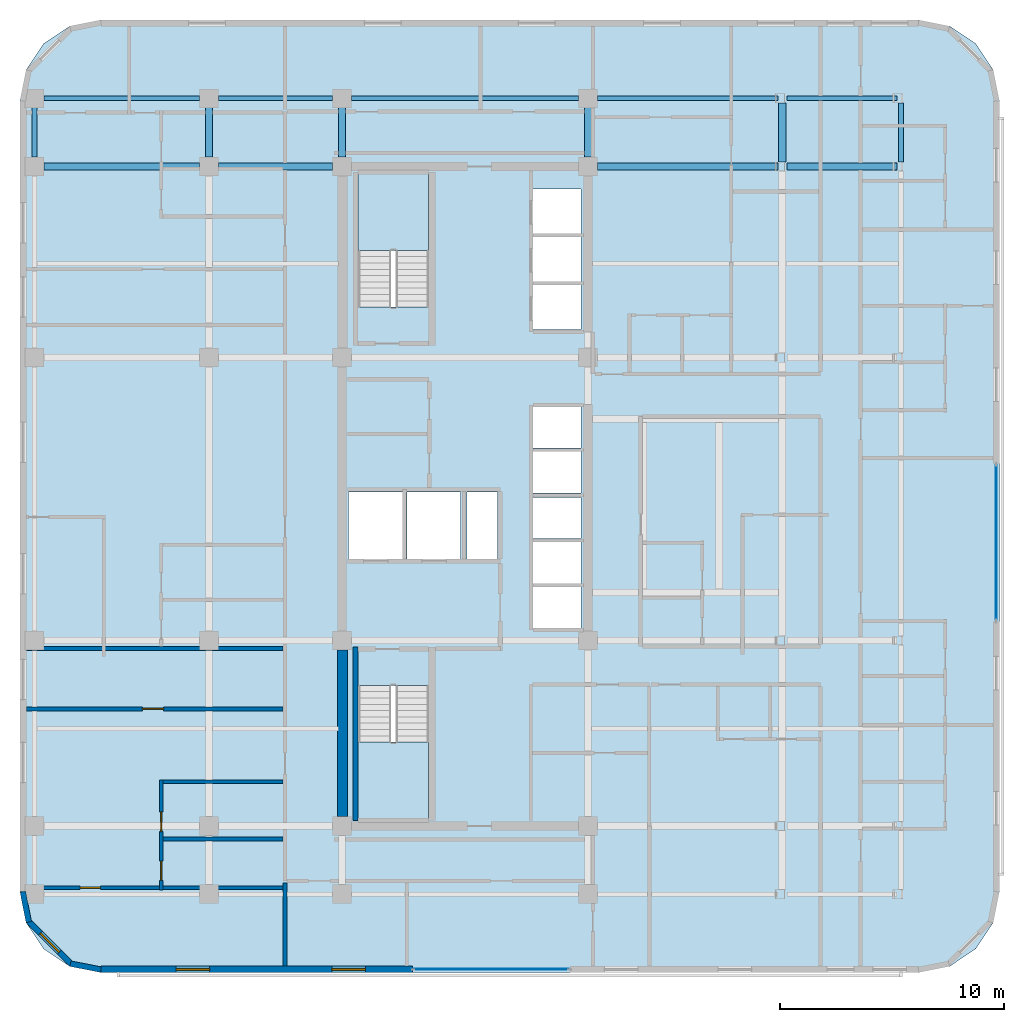
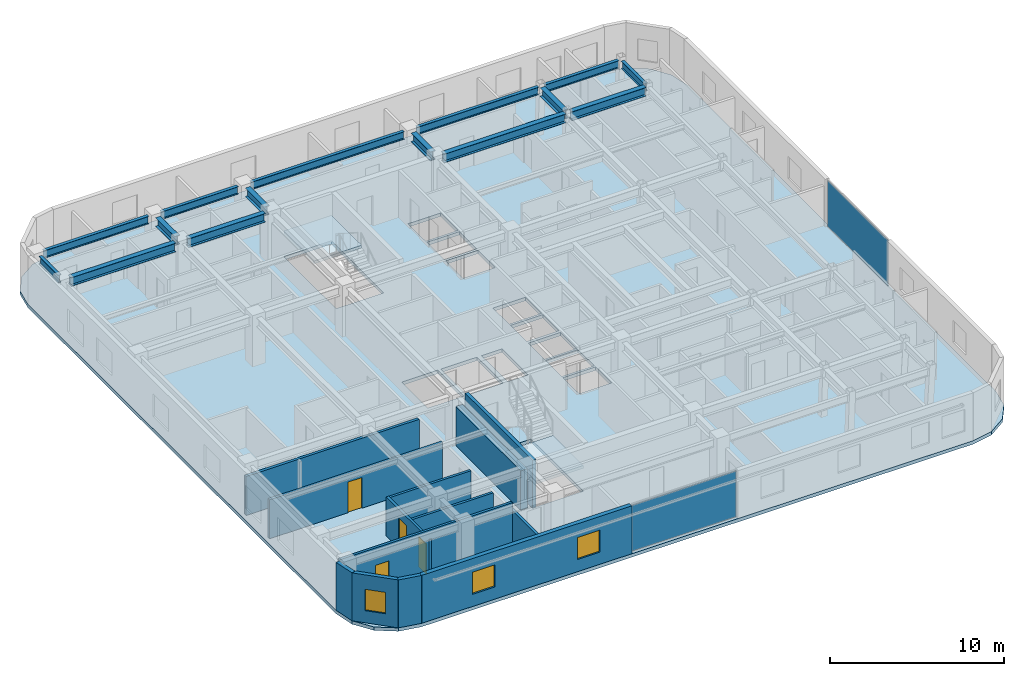
# One storey, part 5 of 14: 15 beams, 13 walls, 4 doors, 3 slabs, 3 windows, 2 plates, 7 openings, 4 elements without a shape of their own.
"""IFC4 building model written with IfcOpenShell, lengths in metres."""

import ifcopenshell
import ifcopenshell.guid

model = None  # the IFC model being written
_history = None  # IfcOwnerHistory: only IFC2X3 demands one
_inside = {}  # id of a spatial element -> (the spatial element, [elements in it])
_under = {}  # id of a project, library or spatial element -> (it, [spatial elements below it])
_declared = {}  # id of a project -> (the project, [libraries it declares])
_typed = {}  # id of a type object -> (the type object, [elements of that type])
_made_of = {}  # id of a material, layer set ... -> (it, [elements and type objects made of it])


def new_model(schema):
    """Start an empty IFC model of exactly this schema.

    Asked for "IFC4X3", IfcOpenShell would pick the latest addendum, in which some entities
    have other attributes; the version numbers below select the first issue.
    IFC2X3 requires an IfcOwnerHistory on every rooted entity: one is made here for all.
    """
    global model, _history
    if schema == "IFC4X3":
        model = ifcopenshell.file(schema_version=(4, 3, 0, 0))
    else:
        model = ifcopenshell.file(schema=schema)
    _inside.clear()
    _under.clear()
    _declared.clear()
    _typed.clear()
    _made_of.clear()
    _history = None
    if model.schema == "IFC2X3":
        org = make("IfcOrganization", Name="unknown")
        user = make(
            "IfcPersonAndOrganization",
            ThePerson=make("IfcPerson", FamilyName="unknown"),
            TheOrganization=org,
        )
        app = make(
            "IfcApplication",
            ApplicationDeveloper=org,
            Version="unknown",
            ApplicationFullName="unknown",
            ApplicationIdentifier="unknown",
        )
        _history = make(
            "IfcOwnerHistory",
            OwningUser=user,
            OwningApplication=app,
            ChangeAction="ADDED",
            CreationDate=0,
        )
    return model


def make(cls, **values):
    """One entity of the class cls with the attributes given. An attribute that is None is left unset."""
    return model.create_entity(
        cls, **{name: value for name, value in values.items() if value is not None}
    )


def rooted(cls, **values):
    """An entity with a GlobalId (a new one), such as an element, a storey or a relation."""
    return make(cls, GlobalId=ifcopenshell.guid.new(), OwnerHistory=_history, **values)


def si_unit(unit_type, name, prefix=None):
    """IfcSIUnit, for example si_unit("LENGTHUNIT", "METRE", prefix="MILLI")."""
    return make("IfcSIUnit", UnitType=unit_type, Prefix=prefix, Name=name)


def assignment(units):
    """IfcUnitAssignment: the units of a project."""
    return None if units is None else make("IfcUnitAssignment", Units=units)


def point(xyz):
    """IfcCartesianPoint."""
    return None if xyz is None else make("IfcCartesianPoint", Coordinates=xyz)


def direction(xyz):
    """IfcDirection."""
    return None if xyz is None else make("IfcDirection", DirectionRatios=xyz)


def frame(location, z_axis=None, x_axis=None):
    """IfcAxis2Placement3D, a coordinate frame: its origin and axes. An axis left out is left unset."""
    return make(
        "IfcAxis2Placement3D",
        Location=point(location),
        Axis=direction(z_axis),
        RefDirection=direction(x_axis),
    )


def frame_2d(location, x_axis=None):
    """IfcAxis2Placement2D, a coordinate frame in the plane: its origin and x axis."""
    return make(
        "IfcAxis2Placement2D", Location=point(location), RefDirection=direction(x_axis)
    )


def origin():
    """The frame at (0, 0, 0) with its axes left unset."""
    return frame((0.0, 0.0, 0.0))


def origin_2d():
    """The frame at (0, 0) in the plane with its x axis left unset."""
    return frame_2d((0.0, 0.0))


def place(relative_to, where):
    """IfcLocalPlacement: puts the frame where relative to a parent placement (None: the world)."""
    return make(
        "IfcLocalPlacement", PlacementRelTo=relative_to, RelativePlacement=where
    )


def context(
    kind, dimensions, precision=None, world=None, true_north=None, identifier=None
):
    """IfcGeometricRepresentationContext, for example the 3D "Model" context."""
    return make(
        "IfcGeometricRepresentationContext",
        ContextIdentifier=identifier,
        ContextType=kind,
        CoordinateSpaceDimension=dimensions,
        Precision=precision,
        WorldCoordinateSystem=world,
        TrueNorth=true_north,
    )


def subcontext(parent, identifier, kind, view, scale=None):
    """IfcGeometricRepresentationSubContext, for example "Body" below "Model"."""
    return make(
        "IfcGeometricRepresentationSubContext",
        ContextIdentifier=identifier,
        ContextType=kind,
        ParentContext=parent,
        TargetScale=scale,
        TargetView=view,
    )


def project(units=None, contexts=None):
    """IfcProject with its units and contexts."""
    return rooted(
        "IfcProject",
        Name="project",
        RepresentationContexts=contexts,
        UnitsInContext=assignment(units),
    )


def spatial(cls, under=None, at=None, **own):
    """A site, building, storey or space (cls), placed at a placement, below another one or the project."""
    s = rooted(cls, ObjectPlacement=at, **own)
    if under is not None:
        _under.setdefault(under.id(), (under, []))[1].append(s)
    return s


def polyline(points):
    """IfcPolyline through the points."""
    return make("IfcPolyline", Points=[point(p) for p in points])


def profile(cls, at=None, kind="AREA", **sizes):
    """A parametric profile (cls). Its sizes go by their IFC names, for example OverallWidth=200.0."""
    return make(cls, ProfileType=kind, Position=at, **sizes)


def rectangle(**sizes):
    """IfcRectangleProfileDef."""
    return profile("IfcRectangleProfileDef", **sizes)


def i_section(**sizes):
    """IfcIShapeProfileDef."""
    return profile("IfcIShapeProfileDef", **sizes)


def outline(outer, holes=None, kind="AREA"):
    """IfcArbitraryClosedProfileDef: a profile drawn as a closed curve; with holes, ...WithVoids."""
    if holes is None:
        return make("IfcArbitraryClosedProfileDef", ProfileType=kind, OuterCurve=outer)
    return make(
        "IfcArbitraryProfileDefWithVoids",
        ProfileType=kind,
        OuterCurve=outer,
        InnerCurves=holes,
    )


def extrude(swept, where, along, depth):
    """IfcExtrudedAreaSolid: the profile swept, set in the frame where, extruded along a direction by depth."""
    return make(
        "IfcExtrudedAreaSolid",
        SweptArea=swept,
        Position=where,
        ExtrudedDirection=direction(along),
        Depth=depth,
    )


def shape(context_of_items, identifier, shape_type, items):
    """IfcShapeRepresentation: the items that make up one representation, for example the "Body"."""
    return make(
        "IfcShapeRepresentation",
        ContextOfItems=context_of_items,
        RepresentationIdentifier=identifier,
        RepresentationType=shape_type,
        Items=items,
    )


def material(Name=None, Category=None):
    """IfcMaterial."""
    return make("IfcMaterial", Name=Name, Category=Category)


def layer(
    of_material, thickness, ventilated=None, Name=None, Category=None, Priority=None
):
    """IfcMaterialLayer: one layer of a wall or slab, of a material (None: an air gap)."""
    return make(
        "IfcMaterialLayer",
        Material=of_material,
        LayerThickness=thickness,
        IsVentilated=ventilated,
        Name=Name,
        Category=Category,
        Priority=Priority,
    )


def layer_set(layers, Name=None):
    """IfcMaterialLayerSet."""
    return make("IfcMaterialLayerSet", MaterialLayers=layers, LayerSetName=Name)


def material_profile(
    of_material, cross_section, Name=None, Category=None, Priority=None
):
    """IfcMaterialProfile: a cross section and its material."""
    return make(
        "IfcMaterialProfile",
        Name=Name,
        Material=of_material,
        Profile=cross_section,
        Priority=Priority,
        Category=Category,
    )


def profile_set(profiles, Name=None, composite=None):
    """IfcMaterialProfileSet."""
    return make(
        "IfcMaterialProfileSet",
        Name=Name,
        MaterialProfiles=profiles,
        CompositeProfile=composite,
    )


def made_of(thing, what):
    """Note that an element or type object is made of a material, layer set ...; save() writes the relation."""
    if what is not None:
        _made_of.setdefault(what.id(), (what, []))[1].append(thing)
    return thing


def type_object(cls, material=None, **own):
    """A type object (cls), such as IfcWallType, which elements share."""
    return made_of(rooted(cls, **own), material)


def element(
    cls,
    number,
    at=None,
    inside=None,
    cuts=None,
    type_object=None,
    material=None,
    context=None,
    identifier="Body",
    shape_type=None,
    held_by="IfcProductDefinitionShape",
    body=None,
    shapes=None,
    **own,
):
    """One element of the class cls, such as IfcWall. Its Tag is "e" and its number.

    at: its placement. inside: the storey or other place that contains it. cuts: it is an
    opening in that element (IfcRelVoidsElement). A single representation is given by context,
    identifier, shape_type and body (its items); several are given by shapes. held_by: the class
    of the entity that holds the representations. save() writes the other relations.
    """
    e = rooted(cls, Tag="e%d" % number, ObjectPlacement=at, **own)
    if body is not None:
        shapes = [shape(context, identifier, shape_type, body)]
    if shapes is not None:
        e.Representation = make(held_by, Representations=shapes)
    if inside is not None:
        _inside.setdefault(inside.id(), (inside, []))[1].append(e)
    if cuts is not None:
        rooted(
            "IfcRelVoidsElement", RelatingBuildingElement=cuts, RelatedOpeningElement=e
        )
    if type_object is not None:
        _typed.setdefault(type_object.id(), (type_object, []))[1].append(e)
    return made_of(e, material)


def fill(opening, filler):
    """IfcRelFillsElement: the door or window that sits in an opening."""
    return rooted(
        "IfcRelFillsElement",
        RelatingOpeningElement=opening,
        RelatedBuildingElement=filler,
    )


def aggregate(whole, parts):
    """IfcRelAggregates: a whole, such as a stair, and the parts it consists of."""
    return rooted("IfcRelAggregates", RelatingObject=whole, RelatedObjects=parts)


def save(model, path):
    """Write the relations noted so far, then the file.

    IfcRelAggregates (storeys below a building ...), IfcRelContainedInSpatialStructure (elements
    in a storey), IfcRelDefinesByType, IfcRelAssociatesMaterial and IfcRelDeclares: one each for
    every whole, place, type object, material and project.
    """
    for whole, parts in _under.values():
        aggregate(whole, parts)
    for where, things in _inside.values():
        rooted(
            "IfcRelContainedInSpatialStructure",
            RelatedElements=things,
            RelatingStructure=where,
        )
    for kind, things in _typed.values():
        rooted("IfcRelDefinesByType", RelatedObjects=things, RelatingType=kind)
    for what, things in _made_of.values():
        rooted("IfcRelAssociatesMaterial", RelatedObjects=things, RelatingMaterial=what)
    for by, libraries in _declared.values():
        rooted("IfcRelDeclares", RelatingContext=by, RelatedDefinitions=libraries)
    model.write(path)


model = new_model("IFC4")

# Units and contexts
model_context = context("Model", 3, precision=1e-05, world=origin(), true_north=direction((0.0, 1.0)))
body_context = subcontext(model_context, "Body", "Model", "MODEL_VIEW")
ifc_project = project(units=[si_unit("LENGTHUNIT", "METRE"), si_unit("AREAUNIT", "SQUARE_METRE"), si_unit("VOLUMEUNIT", "CUBIC_METRE"), si_unit("PLANEANGLEUNIT", "RADIAN"), si_unit("MASSUNIT", "GRAM", prefix="KILO")], contexts=[model_context])

# Site, building, storey
site_placement = place(None, origin())
site = spatial("IfcSite", under=ifc_project, at=site_placement, CompositionType="ELEMENT")
building_placement = place(site_placement, origin())
building = spatial("IfcBuilding", under=site, at=building_placement, Name="Ochreholt Gables", CompositionType="ELEMENT")
storey_placement = place(building_placement, frame((0.0, 0.0, 109.800048828125)))
storey = spatial("IfcBuildingStorey", under=building, at=storey_placement, Name="L28", CompositionType="ELEMENT", Elevation=109.800048828125)

# Beams
ifc_material_1 = material(Name="Steel CSA G40.21 350W", Category="steel")
ifc_material_profile_1 = material_profile(ifc_material_1, i_section(OverallWidth=0.323974609375, OverallDepth=0.611083984375, WebThickness=0.0126953125, FlangeThickness=0.01904296875, at=origin_2d()), Name="W610X155")
ifc_profile_set_1 = profile_set([ifc_material_profile_1], Name="Steel CSA G40.21 350W")
beam_type_1 = type_object("IfcBeamType", Name="BM-G-W610A", PredefinedType="BEAM", material=ifc_profile_set_1)
beam_1_placement = place(storey_placement, frame((10.87451171875, 38.75, 3.054443359375), z_axis=(1.0, 0.0, 0.0), x_axis=(0.0, 1.0, 0.0)))
element("IfcBeam", 1, at=beam_1_placement, inside=storey, type_object=beam_type_1, Name="L28 Beam TBG-L28-W2W3-Y5", PredefinedType="BEAM", context=body_context, shape_type="SweptSolid", body=[
    extrude(i_section(OverallWidth=0.323974609375, OverallDepth=0.611083984375, WebThickness=0.0126953125, FlangeThickness=0.01904296875, at=origin_2d()), origin(), (0.0, 0.0, 1.0), 6.950927734375),
])
beam_2_placement = place(storey_placement, frame((18.674560546875, 38.75, 3.054443359375), z_axis=(1.0, 0.0, 0.0), x_axis=(0.0, 1.0, 0.0)))
element("IfcBeam", 2, at=beam_2_placement, inside=storey, type_object=beam_type_1, Name="L28 Beam TBG-L28-W3C1-Y5", PredefinedType="BEAM", context=body_context, shape_type="SweptSolid", body=[
    extrude(i_section(OverallWidth=0.323974609375, OverallDepth=0.611083984375, WebThickness=0.0126953125, FlangeThickness=0.01904296875, at=origin_2d()), origin(), (0.0, 0.0, 1.0), 5.100830078125),
])
beam_3_placement = place(storey_placement, frame((35.62451171875, 38.75, 3.054443359375), z_axis=(1.0, 0.0, 0.0), x_axis=(0.0, 1.0, 0.0)))
element("IfcBeam", 3, at=beam_3_placement, inside=storey, type_object=beam_type_1, Name="L28 Beam TBG-L28-C2EM-Y5", PredefinedType="BEAM", context=body_context, shape_type="SweptSolid", body=[
    extrude(i_section(OverallWidth=0.323974609375, OverallDepth=0.611083984375, WebThickness=0.0126953125, FlangeThickness=0.01904296875, at=origin_2d()), origin(), (0.0, 0.0, 1.0), 8.077880859375),
])
beam_4_placement = place(storey_placement, frame((44.107666015625, 38.75, 3.054443359375), z_axis=(1.0, 0.0, 0.0), x_axis=(0.0, 1.0, 0.0)))
element("IfcBeam", 4, at=beam_4_placement, inside=storey, type_object=beam_type_1, Name="L28 Beam TBG-L28-EMEE-Y5", PredefinedType="BEAM", context=body_context, shape_type="SweptSolid", body=[
    extrude(i_section(OverallWidth=0.323974609375, OverallDepth=0.611083984375, WebThickness=0.0126953125, FlangeThickness=0.01904296875, at=origin_2d()), origin(), (0.0, 0.0, 1.0), 4.923828125),
])
for number, where, z_axis, x_axis, name in (
    (5, (18.25, 39.174560546875, 3.054443359375), (0.0, 1.0, 0.0), (-1.0, 0.0, 0.0), "L28 Beam TBN-L28-W3-Y5Y6"),
    (6, (24.199951171875, 39.174560546875, 3.054443359375), (0.0, 1.0, 0.0), (-1.0, 0.0, 0.0), "L28 Beam TBN-L28-C1-Y5Y6"),
    (7, (35.199951171875, 39.174560546875, 3.054443359375), (0.0, 1.0, 0.0), (-1.0, 0.0, 0.0), "L28 Beam TBN-L28-C2-Y5Y6"),
):
    element("IfcBeam", number, at=place(storey_placement, frame(where, z_axis=z_axis, x_axis=x_axis)), inside=storey, type_object=beam_type_1, Name=name, PredefinedType="BEAM", context=body_context, shape_type="SweptSolid", body=[
        extrude(i_section(OverallWidth=0.323974609375, OverallDepth=0.611083984375, WebThickness=0.0126953125, FlangeThickness=0.01904296875, at=origin_2d()), origin(), (0.0, 0.0, 1.0), 2.200927734375),
    ])
beam_5_placement = place(storey_placement, frame((43.887939453125, 38.95263671875, 3.054443359375), z_axis=(0.0, 1.0, 0.0), x_axis=(-1.0, 0.0, 0.0)))
element("IfcBeam", 8, at=beam_5_placement, inside=storey, type_object=beam_type_1, Name="L28 Beam TBN-L28-EM-Y5Y6", PredefinedType="BEAM", context=body_context, shape_type="SweptSolid", body=[
    extrude(i_section(OverallWidth=0.323974609375, OverallDepth=0.611083984375, WebThickness=0.0126953125, FlangeThickness=0.01904296875, at=origin_2d()), origin(), (0.0, 0.0, 1.0), 2.644775390625),
])
ifc_material_profile_2 = material_profile(ifc_material_1, i_section(OverallWidth=0.208984375, OverallDepth=0.532958984375, WebThickness=0.01025390625, FlangeThickness=0.015625, at=origin_2d()), Name="W530X92")
ifc_profile_set_2 = profile_set([ifc_material_profile_2], Name="Steel CSA G40.21 350W")
beam_type_2 = type_object("IfcBeamType", Name="BM-SP-W530B", PredefinedType="SPANDREL", material=ifc_profile_set_2)
beam_6_placement = place(storey_placement, frame((10.87451171875, 41.800048828125, 3.093505859375), z_axis=(1.0, 0.0, 0.0), x_axis=(0.0, 1.0, 0.0)))
element("IfcBeam", 9, at=beam_6_placement, inside=storey, type_object=beam_type_2, Name="L28 Beam TBG-L28-W2W3-Y6", PredefinedType="SPANDREL", context=body_context, shape_type="SweptSolid", body=[
    extrude(i_section(OverallWidth=0.208984375, OverallDepth=0.532958984375, WebThickness=0.01025390625, FlangeThickness=0.015625, at=origin_2d()), origin(), (0.0, 0.0, 1.0), 6.950927734375),
])
beam_7_placement = place(storey_placement, frame((18.674560546875, 41.800048828125, 3.093505859375), z_axis=(1.0, 0.0, 0.0), x_axis=(0.0, 1.0, 0.0)))
element("IfcBeam", 10, at=beam_7_placement, inside=storey, type_object=beam_type_2, Name="L28 Beam TBG-L28-W3C1-Y6", PredefinedType="SPANDREL", context=body_context, shape_type="SweptSolid", body=[
    extrude(i_section(OverallWidth=0.208984375, OverallDepth=0.532958984375, WebThickness=0.01025390625, FlangeThickness=0.015625, at=origin_2d()), origin(), (0.0, 0.0, 1.0), 5.100830078125),
])
beam_8_placement = place(storey_placement, frame((24.62451171875, 41.800048828125, 3.093505859375), z_axis=(1.0, 0.0, 0.0), x_axis=(0.0, 1.0, 0.0)))
element("IfcBeam", 11, at=beam_8_placement, inside=storey, type_object=beam_type_2, Name="L28 Beam TBG-L28-C1C2-Y6", PredefinedType="SPANDREL", context=body_context, shape_type="SweptSolid", body=[
    extrude(i_section(OverallWidth=0.208984375, OverallDepth=0.532958984375, WebThickness=0.01025390625, FlangeThickness=0.015625, at=origin_2d()), origin(), (0.0, 0.0, 1.0), 10.15087890625),
])
beam_9_placement = place(storey_placement, frame((35.62451171875, 41.800048828125, 3.093505859375), z_axis=(1.0, 0.0, 0.0), x_axis=(0.0, 1.0, 0.0)))
element("IfcBeam", 12, at=beam_9_placement, inside=storey, type_object=beam_type_2, Name="L28 Beam TBG-L28-C2EM-Y6", PredefinedType="SPANDREL", context=body_context, shape_type="SweptSolid", body=[
    extrude(i_section(OverallWidth=0.208984375, OverallDepth=0.532958984375, WebThickness=0.01025390625, FlangeThickness=0.015625, at=origin_2d()), origin(), (0.0, 0.0, 1.0), 8.077880859375),
])
beam_10_placement = place(storey_placement, frame((44.107666015625, 41.800048828125, 3.093505859375), z_axis=(1.0, 0.0, 0.0), x_axis=(0.0, 1.0, 0.0)))
element("IfcBeam", 13, at=beam_10_placement, inside=storey, type_object=beam_type_2, Name="L28 Beam TBG-L28-EMEE-Y6", PredefinedType="SPANDREL", context=body_context, shape_type="SweptSolid", body=[
    extrude(i_section(OverallWidth=0.208984375, OverallDepth=0.532958984375, WebThickness=0.01025390625, FlangeThickness=0.015625, at=origin_2d()), origin(), (0.0, 0.0, 1.0), 4.923828125),
])
beam_11_placement = place(storey_placement, frame((10.449951171875, 39.174560546875, 3.093505859375), z_axis=(0.0, 1.0, 0.0), x_axis=(-1.0, 0.0, 0.0)))
element("IfcBeam", 14, at=beam_11_placement, inside=storey, type_object=beam_type_2, Name="L28 Beam TBN-L28-W2-Y5Y6", PredefinedType="SPANDREL", context=body_context, shape_type="SweptSolid", body=[
    extrude(i_section(OverallWidth=0.208984375, OverallDepth=0.532958984375, WebThickness=0.01025390625, FlangeThickness=0.015625, at=origin_2d()), origin(), (0.0, 0.0, 1.0), 2.200927734375),
])
beam_12_placement = place(storey_placement, frame((49.20556640625, 38.95263671875, 3.093505859375), z_axis=(0.0, 1.0, 0.0), x_axis=(-1.0, 0.0, 0.0)))
element("IfcBeam", 15, at=beam_12_placement, inside=storey, type_object=beam_type_2, Name="L28 Beam TBN-L28-EE-Y5Y6", PredefinedType="SPANDREL", context=body_context, shape_type="SweptSolid", body=[
    extrude(i_section(OverallWidth=0.208984375, OverallDepth=0.532958984375, WebThickness=0.01025390625, FlangeThickness=0.015625, at=origin_2d()), origin(), (0.0, 0.0, 1.0), 2.644775390625),
])

# Curtain wall, plate
ifc_material_2 = material(Name="Unitised Aluminium and Triple Glazing", Category="aluminium")
ifc_layer_1 = layer(ifc_material_2, 0.18994140625, Name="Unitised Aluminium and Triple Glazing")
ifc_layer_set_1 = layer_set([ifc_layer_1], Name="Unitised Aluminium and Triple Glazing")
curtain_wall_type = type_object("IfcCurtainWallType", Name="CW-SYS3", PredefinedType="NOTDEFINED", material=ifc_layer_set_1)
curtain_wall_1_placement = place(storey_placement, origin())
curtain_wall_1 = element("IfcCurtainWall", 16, at=curtain_wall_1_placement, inside=storey, type_object=curtain_wall_type, Name="L28 South Unitised Curtain Wall", PredefinedType="NOTDEFINED")
ifc_material_3 = material(Name="Triple Low-E Insulating Glass", Category="glass")
ifc_layer_2 = layer(ifc_material_3, 0.033935546875, Name="Triple Low-E Insulating Glass")
ifc_layer_set_2 = layer_set([ifc_layer_2], Name="Triple Low-E Insulating Glass")
plate_type = type_object("IfcPlateType", Name="CW-PNL-34", PredefinedType="CURTAIN_PANEL", material=ifc_layer_set_2)
plate_1_placement = place(storey_placement, frame((30.875, 2.840087890625, 0.074951171875), z_axis=(0.0, 0.0, 1.0), x_axis=(1.0, 0.0, 0.0)))
plate_1 = element("IfcPlate", 17, at=plate_1_placement, type_object=plate_type, Name="CW-3 panel 1.1", PredefinedType="CURTAIN_PANEL", context=body_context, shape_type="SweptSolid", body=[
    extrude(rectangle(XDim=6.919921875, YDim=0.033935546875, at=origin_2d()), origin(), (0.0, 0.0, 1.0), 3.2099609375),
])
aggregate(curtain_wall_1, [plate_1])

curtain_wall_2_placement = place(storey_placement, origin())
curtain_wall_2 = element("IfcCurtainWall", 18, at=curtain_wall_2_placement, inside=storey, type_object=curtain_wall_type, Name="L28 East Unitised Curtain Wall", PredefinedType="NOTDEFINED")
plate_2_placement = place(storey_placement, frame((53.4599609375, 21.927001953125, 0.074951171875), z_axis=(0.0, 0.0, 1.0), x_axis=(0.0, 1.0, 0.0)))
plate_2 = element("IfcPlate", 19, at=plate_2_placement, type_object=plate_type, Name="CW-3 panel 1.1", PredefinedType="CURTAIN_PANEL", context=body_context, shape_type="SweptSolid", body=[
    extrude(rectangle(XDim=6.924072265625, YDim=0.033935546875, at=origin_2d()), origin(), (0.0, 0.0, 1.0), 3.2099609375),
])
aggregate(curtain_wall_2, [plate_2])

# Stair, slab
ifc_material_4 = material(Name="Concrete 40 MPa", Category="concrete")
stair_type_1 = type_object("IfcStairType", Name="STAIR-CORE-ST-1", PredefinedType="HALF_TURN_STAIR", material=ifc_material_4)
stair_1_placement = place(storey_placement, origin())
stair_1 = element("IfcStair", 20, at=stair_1_placement, inside=storey, type_object=stair_type_1, Name="L28 Core Exit Stair 1", PredefinedType="HALF_TURN_STAIR")
ifc_layer_3 = layer(ifc_material_4, 0.199951171875, Name="Concrete 40 MPa")
ifc_layer_set_3 = layer_set([ifc_layer_3], Name="Concrete 40 MPa")
slab_type_1 = type_object("IfcSlabType", Name="LANDING-RC200", PredefinedType="LANDING", material=ifc_layer_set_3)
slab_1_placement = place(storey_placement, frame((0.0, 0.0, 1.599853515625)))
slab_1 = element("IfcSlab", 21, at=slab_1_placement, type_object=slab_type_1, Name="ST-1 landing 1", PredefinedType="LANDING", context=body_context, shape_type="SweptSolid", body=[
    extrude(outline(polyline([(24.919921875, 13.001953125), (24.919921875, 9.52001953125), (28.080078125, 9.52001953125), (28.080078125, 13.001953125), (24.919921875, 13.001953125)])), origin(), (0.0, 0.0, 1.0), 0.2001953125),
])
aggregate(stair_1, [slab_1])

stair_type_2 = type_object("IfcStairType", Name="STAIR-CORE-ST-2", PredefinedType="HALF_TURN_STAIR", material=ifc_material_4)
stair_2_placement = place(storey_placement, origin())
stair_2 = element("IfcStair", 22, at=stair_2_placement, inside=storey, type_object=stair_type_2, Name="L28 Core Exit Stair 2", PredefinedType="HALF_TURN_STAIR")
slab_2_placement = place(storey_placement, frame((0.0, 0.0, 1.599853515625)))
slab_2 = element("IfcSlab", 23, at=slab_2_placement, type_object=slab_type_1, Name="ST-2 landing 1", PredefinedType="LANDING", context=body_context, shape_type="SweptSolid", body=[
    extrude(outline(polyline([(28.080078125, 34.998046875), (28.080078125, 38.47998046875), (24.919921875, 38.47998046875), (24.919921875, 34.998046875), (28.080078125, 34.998046875)])), origin(), (0.0, 0.0, 1.0), 0.2001953125),
])
aggregate(stair_2, [slab_2])

# Slab
ifc_layer_4 = layer(ifc_material_4, 0.239990234375, Name="Concrete 40 MPa")
ifc_layer_set_4 = layer_set([ifc_layer_4], Name="Concrete 40 MPa")
slab_type_2 = type_object("IfcSlabType", Name="SLAB-TWR-240", PredefinedType="FLOOR", material=ifc_layer_set_4)
slab_3_placement = place(storey_placement, frame((0.0, 0.0, -0.239990234375)))
element("IfcSlab", 24, at=slab_3_placement, inside=storey, type_object=slab_type_2, Name="L28 Structural Floor Slab", PredefinedType="FLOOR", context=body_context, shape_type="SweptSolid", body=[
    extrude(outline(polyline([(9.800048828125, 6.300048828125), (10.073974609375, 4.92236328125), (10.8544921875, 3.75439453125), (12.022216796875, 2.97412109375), (13.39990234375, 2.699951171875), (50.0, 2.699951171875), (51.377685546875, 2.97412109375), (52.545654296875, 3.75439453125), (53.325927734375, 4.92236328125), (53.60009765625, 6.300048828125), (53.60009765625, 41.699951171875), (53.325927734375, 43.07763671875), (52.545654296875, 44.24560546875), (51.377685546875, 45.02587890625), (50.0, 45.300048828125), (13.39990234375, 45.300048828125), (12.022216796875, 45.02587890625), (10.8544921875, 44.24560546875), (10.073974609375, 43.07763671875), (9.800048828125, 41.699951171875), (9.800048828125, 6.300048828125)]), holes=[polyline([(24.919921875, 15.539306640625), (24.919921875, 9.52001953125), (28.080078125, 9.52001953125), (28.080078125, 15.539306640625), (24.919921875, 15.539306640625)]), polyline([(28.080078125, 32.460693359375), (28.080078125, 38.47998046875), (24.919921875, 38.47998046875), (24.919921875, 32.460693359375), (28.080078125, 32.460693359375)]), polyline([(24.5, 21.199951171875), (26.89990234375, 21.199951171875), (26.89990234375, 24.199951171875), (24.5, 24.199951171875), (24.5, 21.199951171875)]), polyline([(27.10009765625, 21.199951171875), (29.5, 21.199951171875), (29.5, 24.199951171875), (27.10009765625, 24.199951171875), (27.10009765625, 21.199951171875)]), polyline([(32.75, 18.10009765625), (34.89990234375, 18.10009765625), (34.89990234375, 19.949951171875), (32.75, 19.949951171875), (32.75, 18.10009765625)]), polyline([(32.75, 20.10009765625), (34.89990234375, 20.10009765625), (34.89990234375, 21.949951171875), (32.75, 21.949951171875), (32.75, 20.10009765625)]), polyline([(32.75, 22.10009765625), (34.89990234375, 22.10009765625), (34.89990234375, 23.949951171875), (32.75, 23.949951171875), (32.75, 22.10009765625)]), polyline([(32.75, 24.14990234375), (34.89990234375, 24.14990234375), (34.89990234375, 26.0), (32.75, 26.0), (32.75, 24.14990234375)]), polyline([(32.75, 26.14990234375), (34.89990234375, 26.14990234375), (34.89990234375, 28.0), (32.75, 28.0), (32.75, 26.14990234375)]), polyline([(32.75, 31.449951171875), (34.89990234375, 31.449951171875), (34.89990234375, 33.449951171875), (32.75, 33.449951171875), (32.75, 31.449951171875)]), polyline([(32.75, 33.60009765625), (34.89990234375, 33.60009765625), (34.89990234375, 35.60009765625), (32.75, 35.60009765625), (32.75, 33.60009765625)]), polyline([(32.75, 35.75), (34.89990234375, 35.75), (34.89990234375, 37.75), (32.75, 37.75), (32.75, 35.75)]), polyline([(29.800048828125, 21.199951171875), (31.14990234375, 21.199951171875), (31.14990234375, 24.199951171875), (29.800048828125, 24.199951171875), (29.800048828125, 21.199951171875)])]), origin(), (0.0, 0.0, 1.0), 0.239990234375),
])

# Wall
ifc_material_5 = material(Name="Concrete 60 MPa", Category="concrete")
ifc_layer_5 = layer(ifc_material_5, 0.449951171875, Name="Concrete 60 MPa")
ifc_layer_set_5 = layer_set([ifc_layer_5], Name="Concrete 60 MPa")
wall_type_1 = type_object("IfcWallType", Name="WALL-CSW-450", PredefinedType="SHEAR", material=ifc_layer_set_5)
wall_1_placement = place(storey_placement, frame((24.22509765625, 9.675048828125, 0.0), z_axis=(0.0, 0.0, 1.0), x_axis=(0.0, 1.0, 0.0)))
element("IfcWall", 25, at=wall_1_placement, inside=storey, type_object=wall_type_1, Name="L28 Core West Shear Wall WS", PredefinedType="SHEAR", context=body_context, shape_type="SweptSolid", body=[
    extrude(rectangle(XDim=7.449951171875, YDim=0.449951171875, at=frame_2d((3.72509765625, 0.0))), origin(), (0.0, 0.0, 1.0), 2.7490234375),
])

# Wall, openings, windows
ifc_material_6 = material(Name="Precast concrete 40 MPa", Category="concrete")
ifc_layer_6 = layer(ifc_material_6, 0.280029296875, Name="Precast concrete 40 MPa")
ifc_layer_set_6 = layer_set([ifc_layer_6], Name="Precast concrete 40 MPa")
wall_type_2 = type_object("IfcWallType", Name="WALL-EXT-280", PredefinedType="SOLIDWALL", material=ifc_layer_set_6)
wall_2_placement = place(storey_placement, frame((13.419921875, 2.840087890625, 0.0), z_axis=(0.0, 0.0, 1.0), x_axis=(1.0, 0.0, 0.0)))
wall_2 = element("IfcWall", 26, at=wall_2_placement, inside=storey, type_object=wall_type_2, Name="L28 South Facade Wall 1", PredefinedType="SOLIDWALL", context=body_context, shape_type="SweptSolid", body=[
    extrude(rectangle(XDim=13.93017578125, YDim=0.280029296875, at=frame_2d((6.965087890625, 0.0))), origin(), (0.0, 0.0, 1.0), 3.35986328125),
])
opening_1_placement = place(wall_2_placement, frame((3.364990234375, 0.0, 0.85009765625)))
opening_1 = element("IfcOpeningElement", 27, at=opening_1_placement, cuts=wall_2, Name="Opening WN-2", PredefinedType="OPENING", context=body_context, shape_type="SweptSolid", body=[
    extrude(rectangle(XDim=1.5, YDim=1.550048828125, at=frame_2d((0.75, 0.77490234375))), frame((0.0, 0.14990234375, 0.0), z_axis=(0.0, -1.0, 0.0), x_axis=(1.0, 0.0, 0.0)), (0.0, 0.0, 1.0), 0.300048828125),
])
opening_2_placement = place(wall_2_placement, frame((10.330078125, 0.0, 0.85009765625)))
opening_2 = element("IfcOpeningElement", 28, at=opening_2_placement, cuts=wall_2, Name="Opening WN-2", PredefinedType="OPENING", context=body_context, shape_type="SweptSolid", body=[
    extrude(rectangle(XDim=1.5, YDim=1.550048828125, at=frame_2d((0.75, 0.77490234375))), frame((0.0, 0.14990234375, 0.0), z_axis=(0.0, -1.0, 0.0), x_axis=(1.0, 0.0, 0.0)), (0.0, 0.0, 1.0), 0.300048828125),
])
ifc_material_7 = material(Name="Triple-Glazed Thermally Broken Aluminium Window", Category="aluminium")
window_type_1 = type_object("IfcWindowType", Name="WIN-RES-1500", PartitioningType="SINGLE_PANEL", PredefinedType="WINDOW", material=ifc_material_7)
window_1_placement = place(opening_1_placement, origin())
window_1 = element("IfcWindow", 29, at=window_1_placement, inside=storey, type_object=window_type_1, Name="L28 Window W-EXT-S1-L28-1", OverallHeight=1.550048828125, OverallWidth=1.5, PartitioningType="SINGLE_PANEL", PredefinedType="WINDOW", context=body_context, shape_type="SweptSolid", body=[
    extrude(rectangle(XDim=1.5, YDim=1.550048828125, at=frame_2d((0.75, 0.77490234375))), frame((0.0, 0.030029296875, 0.0), z_axis=(0.0, -1.0, 0.0), x_axis=(1.0, 0.0, 0.0)), (0.0, 0.0, 1.0), 0.06005859375),
])
fill(opening_1, window_1)
window_2_placement = place(opening_2_placement, origin())
window_2 = element("IfcWindow", 30, at=window_2_placement, inside=storey, type_object=window_type_1, Name="L28 Window W-EXT-S1-L28-2", OverallHeight=1.550048828125, OverallWidth=1.5, PartitioningType="SINGLE_PANEL", PredefinedType="WINDOW", context=body_context, shape_type="SweptSolid", body=[
    extrude(rectangle(XDim=1.5, YDim=1.550048828125, at=frame_2d((0.75, 0.77490234375))), frame((0.0, 0.030029296875, 0.0), z_axis=(0.0, -1.0, 0.0), x_axis=(1.0, 0.0, 0.0)), (0.0, 0.0, 1.0), 0.06005859375),
])
fill(opening_2, window_2)

# Wall
ifc_layer_7 = layer(ifc_material_6, 0.25, Name="Precast concrete 40 MPa")
ifc_layer_set_7 = layer_set([ifc_layer_7], Name="Precast concrete 40 MPa")
wall_type_3 = type_object("IfcWallType", Name="WALL-EXT-CNR", PredefinedType="SOLIDWALL", material=ifc_layer_set_7)
wall_3_placement = place(storey_placement, frame((9.92431640625, 6.31640625, 0.0), z_axis=(0.0, 0.0, 1.0), x_axis=(0.195000137217, -0.980803214965, 0.0)))
element("IfcWall", 31, at=wall_3_placement, inside=storey, type_object=wall_type_3, Name="L28 Rounded Corner Wall SW-1", PredefinedType="SOLIDWALL", context=body_context, shape_type="SweptSolid", body=[
    extrude(rectangle(XDim=1.388427734375, YDim=0.25, at=frame_2d((0.6943359375, 0.0))), origin(), (0.0, 0.0, 1.0), 3.35986328125),
])

# Wall, opening, window
wall_4_placement = place(storey_placement, frame((10.16796875, 5.0048828125, 0.0), z_axis=(0.0, 0.0, 1.0), x_axis=(0.707151344399, -0.707062215165, 0.0)))
wall_4 = element("IfcWall", 32, at=wall_4_placement, inside=storey, type_object=wall_type_3, Name="L28 Rounded Corner Wall SW-2", PredefinedType="SOLIDWALL", context=body_context, shape_type="SweptSolid", body=[
    extrude(rectangle(XDim=2.7392578125, YDim=0.25, at=frame_2d((1.36962890625, 0.0))), origin(), (0.0, 0.0, 1.0), 3.35986328125),
])
opening_3_placement = place(wall_4_placement, frame((0.769775390625, 0.0, 0.85009765625)))
opening_3 = element("IfcOpeningElement", 33, at=opening_3_placement, cuts=wall_4, Name="Opening WN-3", PredefinedType="OPENING", context=body_context, shape_type="SweptSolid", body=[
    extrude(rectangle(XDim=1.199951171875, YDim=1.5, at=frame_2d((0.60009765625, 0.75))), frame((0.0, 0.135009765625, 0.0), z_axis=(0.0, -1.0, 0.0), x_axis=(1.0, 0.0, 0.0)), (0.0, 0.0, 1.0), 0.27001953125),
])
window_type_2 = type_object("IfcWindowType", Name="WIN-RES-1200", PartitioningType="SINGLE_PANEL", PredefinedType="WINDOW", material=ifc_material_7)
window_3_placement = place(opening_3_placement, origin())
window_3 = element("IfcWindow", 34, at=window_3_placement, inside=storey, type_object=window_type_2, Name="L28 Corner Bedroom Window SW", OverallHeight=1.5, OverallWidth=1.199951171875, PartitioningType="SINGLE_PANEL", PredefinedType="WINDOW", context=body_context, shape_type="SweptSolid", body=[
    extrude(rectangle(XDim=1.199951171875, YDim=1.5, at=frame_2d((0.60009765625, 0.75))), frame((0.0, 0.030029296875, 0.0), z_axis=(0.0, -1.0, 0.0), x_axis=(1.0, 0.0, 0.0)), (0.0, 0.0, 1.0), 0.06005859375),
])
fill(opening_3, window_3)

# Walls
wall_5_placement = place(storey_placement, frame((12.054443359375, 3.094970703125, 0.0), z_axis=(0.0, 0.0, 1.0), x_axis=(0.980809899341, -0.19496651342, 0.0)))
element("IfcWall", 35, at=wall_5_placement, inside=storey, type_object=wall_type_3, Name="L28 Rounded Corner Wall SW-3", PredefinedType="SOLIDWALL", context=body_context, shape_type="SweptSolid", body=[
    extrude(rectangle(XDim=1.388671875, YDim=0.25, at=frame_2d((0.6943359375, 0.0))), origin(), (0.0, 0.0, 1.0), 3.35986328125),
])
ifc_material_8 = material(Name="Double-Stud Acoustic Demising Wall", Category="gypsum")
ifc_layer_8 = layer(ifc_material_8, 0.179931640625, Name="Double-Stud Acoustic Demising Wall")
ifc_layer_set_8 = layer_set([ifc_layer_8], Name="Double-Stud Acoustic Demising Wall")
wall_type_4 = type_object("IfcWallType", Name="WALL-INT-DM180", PredefinedType="PARTITIONING", material=ifc_layer_set_8)
wall_6_placement = place(storey_placement, frame((21.64990234375, 2.97998046875, 0.0), z_axis=(0.0, 0.0, 1.0), x_axis=(0.0, 1.0, 0.0)))
element("IfcWall", 36, at=wall_6_placement, inside=storey, type_object=wall_type_4, Name="L28 Interior Wall WI-C2WWS-L28", PredefinedType="PARTITIONING", context=body_context, shape_type="SweptSolid", body=[
    extrude(rectangle(XDim=3.72998046875, YDim=0.179931640625, at=frame_2d((1.864990234375, 0.0))), origin(), (0.0, 0.0, 1.0), 2.808837890625),
])
wall_7_placement = place(storey_placement, frame((10.080078125, 17.18408203125, 0.0), z_axis=(0.0, 0.0, 1.0), x_axis=(1.0, 0.0, 0.0)))
element("IfcWall", 37, at=wall_7_placement, inside=storey, type_object=wall_type_4, Name="L28 Interior Wall WI-C2UDW2-L28", PredefinedType="PARTITIONING", context=body_context, shape_type="SweptSolid", body=[
    extrude(rectangle(XDim=11.47998046875, YDim=0.179931640625, at=frame_2d((5.739990234375, 0.0))), origin(), (0.0, 0.0, 1.0), 2.73095703125),
])
ifc_material_9 = material(Name="Moisture-Resistant Plumbing Chase Wall", Category="gypsum")
ifc_layer_9 = layer(ifc_material_9, 0.159912109375, Name="Moisture-Resistant Plumbing Chase Wall")
ifc_layer_set_9 = layer_set([ifc_layer_9], Name="Moisture-Resistant Plumbing Chase Wall")
wall_type_5 = type_object("IfcWallType", Name="WALL-INT-PL160", PredefinedType="PLUMBINGWALL", material=ifc_layer_set_9)
wall_8_placement = place(storey_placement, frame((16.030029296875, 11.2255859375, 0.0), z_axis=(0.0, 0.0, 1.0), x_axis=(1.0, 0.0, 0.0)))
element("IfcWall", 38, at=wall_8_placement, inside=storey, type_object=wall_type_5, Name="L28 Interior Wall WU-L28W1-FYN", PredefinedType="PLUMBINGWALL", context=body_context, shape_type="SweptSolid", body=[
    extrude(rectangle(XDim=5.530029296875, YDim=0.159912109375, at=frame_2d((2.76513671875, 0.0))), origin(), (0.0, 0.0, 1.0), 2.73095703125),
])

# Wall, openings, doors
wall_9_placement = place(storey_placement, frame((16.110107421875, 6.39990234375, 0.0), z_axis=(0.0, 0.0, 1.0), x_axis=(0.0, 1.0, 0.0)))
wall_9 = element("IfcWall", 39, at=wall_9_placement, inside=storey, type_object=wall_type_5, Name="L28 Interior Wall WU-L28W1-WX", PredefinedType="PLUMBINGWALL", context=body_context, shape_type="SweptSolid", body=[
    extrude(rectangle(XDim=4.91552734375, YDim=0.159912109375, at=frame_2d((2.457763671875, 0.0))), origin(), (0.0, 0.0, 1.0), 2.73095703125),
])
opening_4_placement = place(wall_9_placement, frame((0.419921875, 0.0, 0.0)))
opening_4 = element("IfcOpeningElement", 40, at=opening_4_placement, cuts=wall_9, Name="Opening D-BT1", PredefinedType="OPENING", context=body_context, shape_type="SweptSolid", body=[
    extrude(rectangle(XDim=0.860107421875, YDim=2.1201171875, at=frame_2d((0.43017578125, 1.06005859375))), frame((0.0, 0.08984375, 0.0), z_axis=(0.0, -1.0, 0.0), x_axis=(1.0, 0.0, 0.0)), (0.0, 0.0, 1.0), 0.179931640625),
])
opening_5_placement = place(wall_9_placement, frame((2.598388671875, 0.0, 0.0)))
opening_5 = element("IfcOpeningElement", 41, at=opening_5_placement, cuts=wall_9, Name="Opening D-GN2", PredefinedType="OPENING", context=body_context, shape_type="SweptSolid", body=[
    extrude(rectangle(XDim=0.8798828125, YDim=2.1201171875, at=frame_2d((0.43994140625, 1.06005859375))), frame((0.0, 0.08984375, 0.0), z_axis=(0.0, -1.0, 0.0), x_axis=(1.0, 0.0, 0.0)), (0.0, 0.0, 1.0), 0.179931640625),
])
ifc_material_10 = material(Name="Engineered Oak Timber", Category="wood")
door_type_1 = type_object("IfcDoorType", Name="DR-INT-BTH860", OperationType="NOTDEFINED", PredefinedType="DOOR", material=ifc_material_10)
door_1_placement = place(opening_4_placement, origin())
door_1 = element("IfcDoor", 42, at=door_1_placement, inside=storey, type_object=door_type_1, Name="L28 Door D-U-L28W1-BTH", OperationType="SINGLE_SWING_RIGHT", OverallHeight=2.1201171875, OverallWidth=0.860107421875, PredefinedType="DOOR", context=body_context, shape_type="SweptSolid", body=[
    extrude(rectangle(XDim=0.860107421875, YDim=2.1201171875, at=frame_2d((0.43017578125, 1.06005859375))), frame((0.0, 0.02490234375, 0.0), z_axis=(0.0, -1.0, 0.0), x_axis=(1.0, 0.0, 0.0)), (0.0, 0.0, 1.0), 0.050048828125),
])
fill(opening_4, door_1)
door_type_2 = type_object("IfcDoorType", Name="DR-INT-GEN880", OperationType="NOTDEFINED", PredefinedType="DOOR", material=ifc_material_10)
door_2_placement = place(opening_5_placement, origin())
door_2 = element("IfcDoor", 43, at=door_2_placement, inside=storey, type_object=door_type_2, Name="L28 Door D-U-L28W1-KIT", OperationType="SINGLE_SWING_LEFT", OverallHeight=2.1201171875, OverallWidth=0.8798828125, PredefinedType="DOOR", context=body_context, shape_type="SweptSolid", body=[
    extrude(rectangle(XDim=0.8798828125, YDim=2.1201171875, at=frame_2d((0.43994140625, 1.06005859375))), frame((0.0, 0.02490234375, 0.0), z_axis=(0.0, -1.0, 0.0), x_axis=(1.0, 0.0, 0.0)), (0.0, 0.0, 1.0), 0.050048828125),
])
fill(opening_5, door_2)

# Wall
wall_10_placement = place(storey_placement, frame((16.18994140625, 8.668212890625, 0.0), z_axis=(0.0, 0.0, 1.0), x_axis=(1.0, 0.0, 0.0)))
element("IfcWall", 44, at=wall_10_placement, inside=storey, type_object=wall_type_5, Name="L28 Interior Wall WU-L28W1-WK", PredefinedType="PLUMBINGWALL", context=body_context, shape_type="SweptSolid", body=[
    extrude(rectangle(XDim=5.3701171875, YDim=0.159912109375, at=frame_2d((2.68505859375, 0.0))), origin(), (0.0, 0.0, 1.0), 2.73095703125),
])

# Wall, opening, door
ifc_material_11 = material(Name="Gypsum Acoustic Stud Partition", Category="gypsum")
ifc_layer_10 = layer(ifc_material_11, 0.1650390625, Name="Gypsum Acoustic Stud Partition")
ifc_layer_set_10 = layer_set([ifc_layer_10], Name="Gypsum Acoustic Stud Partition")
wall_type_6 = type_object("IfcWallType", Name="WALL-INT-PT165", PredefinedType="PARTITIONING", material=ifc_layer_set_10)
wall_11_placement = place(storey_placement, frame((10.080078125, 6.489990234375, 0.0), z_axis=(0.0, 0.0, 1.0), x_axis=(1.0, 0.0, 0.0)))
wall_11 = element("IfcWall", 45, at=wall_11_placement, inside=storey, type_object=wall_type_6, Name="L28 Interior Wall WU-L28W1-MN", PredefinedType="PARTITIONING", context=body_context, shape_type="SweptSolid", body=[
    extrude(rectangle(XDim=11.47998046875, YDim=0.1650390625, at=frame_2d((5.739990234375, 0.0))), origin(), (0.0, 0.0, 1.0), 3.35986328125),
])
opening_6_placement = place(wall_11_placement, frame((2.409912109375, 0.0, 0.0)))
opening_6 = element("IfcOpeningElement", 46, at=opening_6_placement, cuts=wall_11, Name="Opening D-BD1", PredefinedType="OPENING", context=body_context, shape_type="SweptSolid", body=[
    extrude(rectangle(XDim=0.89990234375, YDim=2.139892578125, at=frame_2d((0.449951171875, 1.06982421875))), frame((0.0, 0.092529296875, 0.0), z_axis=(0.0, -1.0, 0.0), x_axis=(1.0, 0.0, 0.0)), (0.0, 0.0, 1.0), 0.18505859375),
])
door_type_3 = type_object("IfcDoorType", Name="DR-INT-BED900", OperationType="NOTDEFINED", PredefinedType="DOOR", material=ifc_material_10)
door_3_placement = place(opening_6_placement, origin())
door_3 = element("IfcDoor", 47, at=door_3_placement, inside=storey, type_object=door_type_3, Name="L28 Door D-U-L28W1-BD1", OperationType="SINGLE_SWING_RIGHT", OverallHeight=2.139892578125, OverallWidth=0.89990234375, PredefinedType="DOOR", context=body_context, shape_type="SweptSolid", body=[
    extrude(rectangle(XDim=0.89990234375, YDim=2.139892578125, at=frame_2d((0.449951171875, 1.06982421875))), frame((0.0, 0.02490234375, 0.0), z_axis=(0.0, -1.0, 0.0), x_axis=(1.0, 0.0, 0.0)), (0.0, 0.0, 1.0), 0.050048828125),
])
fill(opening_6, door_3)

wall_12_placement = place(storey_placement, frame((10.080078125, 14.48779296875, 0.0), z_axis=(0.0, 0.0, 1.0), x_axis=(1.0, 0.0, 0.0)))
wall_12 = element("IfcWall", 48, at=wall_12_placement, inside=storey, type_object=wall_type_6, Name="L28 Interior Wall WU-L28W1-DNW", PredefinedType="PARTITIONING", context=body_context, shape_type="SweptSolid", body=[
    extrude(rectangle(XDim=11.47998046875, YDim=0.1650390625, at=frame_2d((5.739990234375, 0.0))), origin(), (0.0, 0.0, 1.0), 2.73095703125),
])
opening_7_placement = place(wall_12_placement, frame((5.195068359375, 0.0, 0.0)))
opening_7 = element("IfcOpeningElement", 49, at=opening_7_placement, cuts=wall_12, Name="Opening D-GN1", PredefinedType="OPENING", context=body_context, shape_type="SweptSolid", body=[
    extrude(rectangle(XDim=0.949951171875, YDim=2.14990234375, at=frame_2d((0.47509765625, 1.074951171875))), frame((0.0, 0.092529296875, 0.0), z_axis=(0.0, -1.0, 0.0), x_axis=(1.0, 0.0, 0.0)), (0.0, 0.0, 1.0), 0.18505859375),
])
door_type_4 = type_object("IfcDoorType", Name="DR-INT-GEN950", OperationType="NOTDEFINED", PredefinedType="DOOR", material=ifc_material_10)
door_4_placement = place(opening_7_placement, origin())
door_4 = element("IfcDoor", 50, at=door_4_placement, inside=storey, type_object=door_type_4, Name="L28 Door D-U-L28W1-DIN", OperationType="SINGLE_SWING_RIGHT", OverallHeight=2.14990234375, OverallWidth=0.949951171875, PredefinedType="DOOR", context=body_context, shape_type="SweptSolid", body=[
    extrude(rectangle(XDim=0.949951171875, YDim=2.14990234375, at=frame_2d((0.47509765625, 1.074951171875))), frame((0.0, 0.02490234375, 0.0), z_axis=(0.0, -1.0, 0.0), x_axis=(1.0, 0.0, 0.0)), (0.0, 0.0, 1.0), 0.050048828125),
])
fill(opening_7, door_4)

# Wall
ifc_material_12 = material(Name="Concrete 50 MPa", Category="concrete")
ifc_layer_11 = layer(ifc_material_12, 0.219970703125, Name="Concrete 50 MPa")
ifc_layer_set_11 = layer_set([ifc_layer_11], Name="Concrete 50 MPa")
wall_type_7 = type_object("IfcWallType", Name="WALL-STW-220", PredefinedType="SHEAR", material=ifc_layer_set_11)
wall_13_placement = place(storey_placement, frame((24.81005859375, 9.5, 0.0), z_axis=(0.0, 0.0, 1.0), x_axis=(0.0, 1.0, 0.0)))
element("IfcWall", 51, at=wall_13_placement, inside=storey, type_object=wall_type_7, Name="L28 Exit Stair 1 West Wall", PredefinedType="SHEAR", context=body_context, shape_type="SweptSolid", body=[
    extrude(rectangle(XDim=7.760009765625, YDim=0.219970703125, at=frame_2d((3.8798828125, 0.0))), origin(), (0.0, 0.0, 1.0), 3.35986328125),
])

save(model, "model.ifc")
